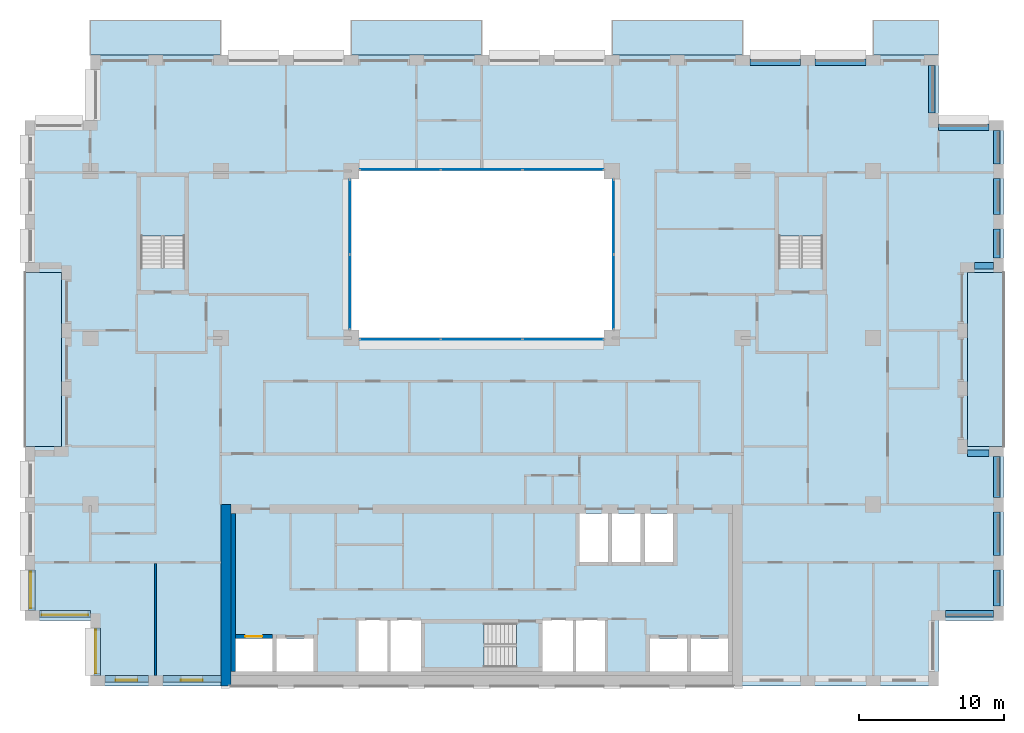
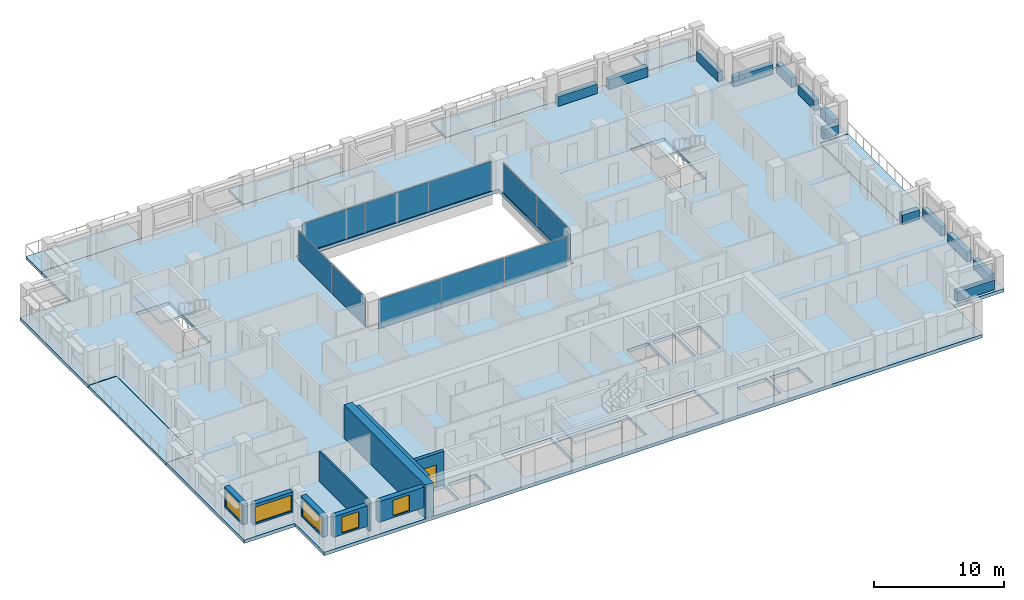
# One storey, part 7 of 16: 13 beams, 10 plates, 10 slabs, 9 walls, 5 windows, 1 door, 6 openings, 7 elements without a shape of their own.
"""IFC4 building model written with IfcOpenShell, lengths in metres."""

from ifc_helpers import new_model, si_unit, direction, frame, frame_2d, origin, origin_2d, place, context, subcontext, project, spatial, polyline, rectangle, outline, extrude, material, layer, layer_set, material_profile, profile_set, type_object, element, fill, aggregate, save


model = new_model("IFC4")

# Units and contexts
model_context = context("Model", 3, precision=1e-05, world=origin(), true_north=direction((0.0, 1.0)))
body_context = subcontext(model_context, "Body", "Model", "MODEL_VIEW")
ifc_project = project(units=[si_unit("LENGTHUNIT", "METRE"), si_unit("AREAUNIT", "SQUARE_METRE"), si_unit("VOLUMEUNIT", "CUBIC_METRE"), si_unit("PLANEANGLEUNIT", "RADIAN"), si_unit("MASSUNIT", "GRAM", prefix="KILO")], contexts=[model_context])

# Site, building, storey
site_placement = place(None, origin())
site = spatial("IfcSite", under=ifc_project, at=site_placement, CompositionType="ELEMENT")
building_placement = place(site_placement, origin())
building = spatial("IfcBuilding", under=site, at=building_placement, Name="Brigalow Station Residences", CompositionType="ELEMENT")
storey_placement = place(building_placement, frame((0.0, 0.0, 166.5)))
storey = spatial("IfcBuildingStorey", under=building, at=storey_placement, Name="L48", CompositionType="ELEMENT", Elevation=166.5)

# Beams
ifc_material_1 = material(Name="Concrete C50", Category="concrete")
ifc_material_profile = material_profile(ifc_material_1, rectangle(XDim=0.449951171875, YDim=0.89990234375, at=origin_2d()), Name="RC450x900")
ifc_profile_set = profile_set([ifc_material_profile], Name="Concrete C50")
beam_type = type_object("IfcBeamType", Name="SPANDREL BEAM 450x900 C50", PredefinedType="SPANDREL", material=ifc_profile_set)
beam_1_placement = place(storey_placement, frame((68.0, 4.97509765625, 0.449951171875), z_axis=(1.0, 0.0, 0.0), x_axis=(0.0, 1.0, 0.0)))
element("IfcBeam", 1, at=beam_1_placement, inside=storey, type_object=beam_type, Name="L48/spandrel/W-L48-8", PredefinedType="SPANDREL", context=body_context, shape_type="SweptSolid", body=[
    extrude(rectangle(XDim=0.449951171875, YDim=0.89990234375, at=origin_2d()), origin(), (0.0, 0.0, 1.0), 3.300048828125),
])
beam_2_placement = place(storey_placement, frame((71.52490234375, 5.5, 0.449951171875), z_axis=(0.0, 1.0, 0.0), x_axis=(-1.0, 0.0, 0.0)))
element("IfcBeam", 2, at=beam_2_placement, inside=storey, type_object=beam_type, Name="L48/spandrel/W-L48-9", PredefinedType="SPANDREL", context=body_context, shape_type="SweptSolid", body=[
    extrude(rectangle(XDim=0.449951171875, YDim=0.89990234375, at=origin_2d()), origin(), (0.0, 0.0, 1.0), 2.5),
])
beam_3_placement = place(storey_placement, frame((71.52490234375, 9.0, 0.449951171875), z_axis=(0.0, 1.0, 0.0), x_axis=(-1.0, 0.0, 0.0)))
element("IfcBeam", 3, at=beam_3_placement, inside=storey, type_object=beam_type, Name="L48/spandrel/W-L48-10", PredefinedType="SPANDREL", context=body_context, shape_type="SweptSolid", body=[
    extrude(rectangle(XDim=0.449951171875, YDim=0.89990234375, at=origin_2d()), origin(), (0.0, 0.0, 1.0), 3.0),
])
beam_4_placement = place(storey_placement, frame((71.52490234375, 13.0, 0.449951171875), z_axis=(0.0, 1.0, 0.0), x_axis=(-1.0, 0.0, 0.0)))
element("IfcBeam", 4, at=beam_4_placement, inside=storey, type_object=beam_type, Name="L48/spandrel/W-L48-11", PredefinedType="SPANDREL", context=body_context, shape_type="SweptSolid", body=[
    extrude(rectangle(XDim=0.449951171875, YDim=0.89990234375, at=origin_2d()), origin(), (0.0, 0.0, 1.0), 2.800048828125),
])
beam_5_placement = place(storey_placement, frame((71.0, 16.02490234375, 0.449951171875), z_axis=(-1.0, 0.0, 0.0), x_axis=(0.0, -1.0, 0.0)))
element("IfcBeam", 5, at=beam_5_placement, inside=storey, type_object=beam_type, Name="L48/spandrel/W-L48-12", PredefinedType="SPANDREL", context=body_context, shape_type="SweptSolid", body=[
    extrude(rectangle(XDim=0.449951171875, YDim=0.89990234375, at=origin_2d()), origin(), (0.0, 0.0, 1.0), 1.5),
])
beam_6_placement = place(storey_placement, frame((70.0, 28.97509765625, 0.449951171875), z_axis=(1.0, 0.0, 0.0), x_axis=(0.0, 1.0, 0.0)))
element("IfcBeam", 6, at=beam_6_placement, inside=storey, type_object=beam_type, Name="L48/spandrel/W-L48-16", PredefinedType="SPANDREL", context=body_context, shape_type="SweptSolid", body=[
    extrude(rectangle(XDim=0.449951171875, YDim=0.89990234375, at=origin_2d()), origin(), (0.0, 0.0, 1.0), 1.300048828125),
])
beam_7_placement = place(storey_placement, frame((71.52490234375, 29.5, 0.449951171875), z_axis=(0.0, 1.0, 0.0), x_axis=(-1.0, 0.0, 0.0)))
element("IfcBeam", 7, at=beam_7_placement, inside=storey, type_object=beam_type, Name="L48/spandrel/W-L48-17", PredefinedType="SPANDREL", context=body_context, shape_type="SweptSolid", body=[
    extrude(rectangle(XDim=0.449951171875, YDim=0.89990234375, at=origin_2d()), origin(), (0.0, 0.0, 1.0), 2.0),
])
beam_8_placement = place(storey_placement, frame((71.52490234375, 32.5, 0.449951171875), z_axis=(0.0, 1.0, 0.0), x_axis=(-1.0, 0.0, 0.0)))
element("IfcBeam", 8, at=beam_8_placement, inside=storey, type_object=beam_type, Name="L48/spandrel/W-L48-18", PredefinedType="SPANDREL", context=body_context, shape_type="SweptSolid", body=[
    extrude(rectangle(XDim=0.449951171875, YDim=0.89990234375, at=origin_2d()), origin(), (0.0, 0.0, 1.0), 2.5),
])
beam_9_placement = place(storey_placement, frame((71.52490234375, 36.0, 0.449951171875), z_axis=(0.0, 1.0, 0.0), x_axis=(-1.0, 0.0, 0.0)))
element("IfcBeam", 9, at=beam_9_placement, inside=storey, type_object=beam_type, Name="L48/spandrel/W-L48-19", PredefinedType="SPANDREL", context=body_context, shape_type="SweptSolid", body=[
    extrude(rectangle(XDim=0.449951171875, YDim=0.89990234375, at=origin_2d()), origin(), (0.0, 0.0, 1.0), 2.300048828125),
])
beam_10_placement = place(storey_placement, frame((71.0, 38.52490234375, 0.449951171875), z_axis=(-1.0, 0.0, 0.0), x_axis=(0.0, -1.0, 0.0)))
element("IfcBeam", 10, at=beam_10_placement, inside=storey, type_object=beam_type, Name="L48/spandrel/W-L48-20", PredefinedType="SPANDREL", context=body_context, shape_type="SweptSolid", body=[
    extrude(rectangle(XDim=0.449951171875, YDim=0.89990234375, at=origin_2d()), origin(), (0.0, 0.0, 1.0), 3.5),
])
beam_11_placement = place(storey_placement, frame((67.02490234375, 39.5, 0.449951171875), z_axis=(0.0, 1.0, 0.0), x_axis=(-1.0, 0.0, 0.0)))
element("IfcBeam", 11, at=beam_11_placement, inside=storey, type_object=beam_type, Name="L48/spandrel/W-L48-21", PredefinedType="SPANDREL", context=body_context, shape_type="SweptSolid", body=[
    extrude(rectangle(XDim=0.449951171875, YDim=0.89990234375, at=origin_2d()), origin(), (0.0, 0.0, 1.0), 3.300048828125),
])
for number, where, z_axis, x_axis, name in (
    (12, (62.5, 43.02490234375, 0.449951171875), (-1.0, 0.0, 0.0), (0.0, -1.0, 0.0), "L48/spandrel/W-L48-23"),
    (13, (58.0, 43.02490234375, 0.449951171875), (-1.0, 0.0, 0.0), (0.0, -1.0, 0.0), "L48/spandrel/W-L48-24"),
):
    element("IfcBeam", number, at=place(storey_placement, frame(where, z_axis=z_axis, x_axis=x_axis)), inside=storey, type_object=beam_type, Name=name, PredefinedType="SPANDREL", context=body_context, shape_type="SweptSolid", body=[
        extrude(rectangle(XDim=0.449951171875, YDim=0.89990234375, at=origin_2d()), origin(), (0.0, 0.0, 1.0), 3.5),
    ])

# Curtain wall, plates
ifc_material_2 = material(Name="Aluminium", Category="aluminium")
ifc_layer_1 = layer(ifc_material_2, 0.14990234375)
ifc_layer_set_1 = layer_set([ifc_layer_1], Name="ATRIUM FIRE-RATED GLAZING CURTAIN WALL")
curtain_wall_type = type_object("IfcCurtainWallType", Name="ATRIUM FIRE-RATED GLAZING CURTAIN WALL", PredefinedType="NOTDEFINED", material=ifc_layer_set_1)
curtain_wall_1_placement = place(storey_placement, origin())
curtain_wall_1 = element("IfcCurtainWall", 14, at=curtain_wall_1_placement, inside=storey, type_object=curtain_wall_type, Name="L48/cw/atrium-S", PredefinedType="NOTDEFINED")
ifc_material_3 = material(Name="Fire-resisting laminated glazing, FRL -/60/-", Category="glass")
ifc_layer_2 = layer(ifc_material_3, 0.031982421875)
ifc_layer_set_2 = layer_set([ifc_layer_2], Name="ATRIUM FIRE-RATED GLAZING PANEL 32")
plate_type = type_object("IfcPlateType", Name="ATRIUM FIRE-RATED GLAZING PANEL 32", PredefinedType="CURTAIN_PANEL", material=ifc_layer_set_2)
plate_1_placement = place(storey_placement, frame((30.381591796875, 23.89990234375, 0.0), z_axis=(0.0, 0.0, 1.0), x_axis=(1.0, 0.0, 0.0)))
plate_1 = element("IfcPlate", 15, at=plate_1_placement, type_object=plate_type, Name="L48/cw/atrium-S/P00-00", PredefinedType="CURTAIN_PANEL", context=body_context, shape_type="SweptSolid", body=[
    extrude(rectangle(XDim=5.543212890625, YDim=0.031982421875, at=origin_2d()), origin(), (0.0, 0.0, 1.0), 2.77001953125),
])
plate_2_placement = place(storey_placement, frame((36.0, 23.89990234375, 0.0), z_axis=(0.0, 0.0, 1.0), x_axis=(1.0, 0.0, 0.0)))
plate_2 = element("IfcPlate", 16, at=plate_2_placement, type_object=plate_type, Name="L48/cw/atrium-S/P01-00", PredefinedType="CURTAIN_PANEL", context=body_context, shape_type="SweptSolid", body=[
    extrude(rectangle(XDim=5.5732421875, YDim=0.031982421875, at=origin_2d()), origin(), (0.0, 0.0, 1.0), 2.77001953125),
])
plate_3_placement = place(storey_placement, frame((41.618408203125, 23.89990234375, 0.0), z_axis=(0.0, 0.0, 1.0), x_axis=(1.0, 0.0, 0.0)))
plate_3 = element("IfcPlate", 17, at=plate_3_placement, type_object=plate_type, Name="L48/cw/atrium-S/P02-00", PredefinedType="CURTAIN_PANEL", context=body_context, shape_type="SweptSolid", body=[
    extrude(rectangle(XDim=5.543212890625, YDim=0.031982421875, at=origin_2d()), origin(), (0.0, 0.0, 1.0), 2.77001953125),
])
aggregate(curtain_wall_1, [plate_1, plate_2, plate_3])

curtain_wall_2_placement = place(storey_placement, origin())
curtain_wall_2 = element("IfcCurtainWall", 18, at=curtain_wall_2_placement, inside=storey, type_object=curtain_wall_type, Name="L48/cw/atrium-E", PredefinedType="NOTDEFINED")
plate_4_placement = place(storey_placement, frame((45.10009765625, 27.1650390625, 0.0), z_axis=(0.0, 0.0, 1.0), x_axis=(0.0, 1.0, 0.0)))
plate_4 = element("IfcPlate", 19, at=plate_4_placement, type_object=plate_type, Name="L48/cw/atrium-E/P00-00", PredefinedType="CURTAIN_PANEL", context=body_context, shape_type="SweptSolid", body=[
    extrude(rectangle(XDim=5.110107421875, YDim=0.031982421875, at=origin_2d()), origin(), (0.0, 0.0, 1.0), 2.77001953125),
])
plate_5_placement = place(storey_placement, frame((45.10009765625, 32.3349609375, 0.0), z_axis=(0.0, 0.0, 1.0), x_axis=(0.0, 1.0, 0.0)))
plate_5 = element("IfcPlate", 20, at=plate_5_placement, type_object=plate_type, Name="L48/cw/atrium-E/P01-00", PredefinedType="CURTAIN_PANEL", context=body_context, shape_type="SweptSolid", body=[
    extrude(rectangle(XDim=5.110107421875, YDim=0.031982421875, at=origin_2d()), origin(), (0.0, 0.0, 1.0), 2.77001953125),
])
aggregate(curtain_wall_2, [plate_4, plate_5])

curtain_wall_3_placement = place(storey_placement, origin())
curtain_wall_3 = element("IfcCurtainWall", 21, at=curtain_wall_3_placement, inside=storey, type_object=curtain_wall_type, Name="L48/cw/atrium-N", PredefinedType="NOTDEFINED")
plate_6_placement = place(storey_placement, frame((41.618408203125, 35.60009765625, 0.0), z_axis=(0.0, 0.0, 1.0), x_axis=(-1.0, 0.0, 0.0)))
plate_6 = element("IfcPlate", 22, at=plate_6_placement, type_object=plate_type, Name="L48/cw/atrium-N/P00-00", PredefinedType="CURTAIN_PANEL", context=body_context, shape_type="SweptSolid", body=[
    extrude(rectangle(XDim=5.543212890625, YDim=0.031982421875, at=origin_2d()), origin(), (0.0, 0.0, 1.0), 2.77001953125),
])
plate_7_placement = place(storey_placement, frame((36.0, 35.60009765625, 0.0), z_axis=(0.0, 0.0, 1.0), x_axis=(-1.0, 0.0, 0.0)))
plate_7 = element("IfcPlate", 23, at=plate_7_placement, type_object=plate_type, Name="L48/cw/atrium-N/P01-00", PredefinedType="CURTAIN_PANEL", context=body_context, shape_type="SweptSolid", body=[
    extrude(rectangle(XDim=5.5732421875, YDim=0.031982421875, at=origin_2d()), origin(), (0.0, 0.0, 1.0), 2.77001953125),
])
plate_8_placement = place(storey_placement, frame((30.381591796875, 35.60009765625, 0.0), z_axis=(0.0, 0.0, 1.0), x_axis=(-1.0, 0.0, 0.0)))
plate_8 = element("IfcPlate", 24, at=plate_8_placement, type_object=plate_type, Name="L48/cw/atrium-N/P02-00", PredefinedType="CURTAIN_PANEL", context=body_context, shape_type="SweptSolid", body=[
    extrude(rectangle(XDim=5.543212890625, YDim=0.031982421875, at=origin_2d()), origin(), (0.0, 0.0, 1.0), 2.77001953125),
])
aggregate(curtain_wall_3, [plate_6, plate_7, plate_8])

curtain_wall_4_placement = place(storey_placement, origin())
curtain_wall_4 = element("IfcCurtainWall", 25, at=curtain_wall_4_placement, inside=storey, type_object=curtain_wall_type, Name="L48/cw/atrium-W", PredefinedType="NOTDEFINED")
plate_9_placement = place(storey_placement, frame((26.89990234375, 32.3349609375, 0.0), z_axis=(0.0, 0.0, 1.0), x_axis=(0.0, -1.0, 0.0)))
plate_9 = element("IfcPlate", 26, at=plate_9_placement, type_object=plate_type, Name="L48/cw/atrium-W/P00-00", PredefinedType="CURTAIN_PANEL", context=body_context, shape_type="SweptSolid", body=[
    extrude(rectangle(XDim=5.110107421875, YDim=0.031982421875, at=origin_2d()), origin(), (0.0, 0.0, 1.0), 2.77001953125),
])
plate_10_placement = place(storey_placement, frame((26.89990234375, 27.1650390625, 0.0), z_axis=(0.0, 0.0, 1.0), x_axis=(0.0, -1.0, 0.0)))
plate_10 = element("IfcPlate", 27, at=plate_10_placement, type_object=plate_type, Name="L48/cw/atrium-W/P01-00", PredefinedType="CURTAIN_PANEL", context=body_context, shape_type="SweptSolid", body=[
    extrude(rectangle(XDim=5.110107421875, YDim=0.031982421875, at=origin_2d()), origin(), (0.0, 0.0, 1.0), 2.77001953125),
])
aggregate(curtain_wall_4, [plate_9, plate_10])

# Slabs
ifc_material_4 = material(Name="Concrete C50 precast", Category="concrete")
ifc_layer_3 = layer(ifc_material_4, 0.25)
ifc_layer_set_3 = layer_set([ifc_layer_3], Name="BALCONY SLAB 250")
slab_type_1 = type_object("IfcSlabType", Name="BALCONY SLAB 250", PredefinedType="USERDEFINED", material=ifc_layer_set_3)
slab_1_placement = place(storey_placement, frame((0.0, 0.0, -0.2900390625)))
element("IfcSlab", 28, at=slab_1_placement, inside=storey, type_object=slab_type_1, Name="L48/balcony/1", ObjectType="BALCONY", PredefinedType="USERDEFINED", context=body_context, shape_type="SweptSolid", body=[
    extrude(outline(polyline([(69.5, 16.5), (72.0, 16.5), (72.0, 28.5), (69.5, 28.5), (69.5, 16.5)])), origin(), (0.0, 0.0, 1.0), 0.25),
])
slab_2_placement = place(storey_placement, frame((0.0, 0.0, -0.2900390625)))
element("IfcSlab", 29, at=slab_2_placement, inside=storey, type_object=slab_type_1, Name="L48/balcony/2", ObjectType="BALCONY", PredefinedType="USERDEFINED", context=body_context, shape_type="SweptSolid", body=[
    extrude(outline(polyline([(67.5, 43.5), (67.5, 45.89990234375), (63.0, 45.89990234375), (63.0, 43.5), (67.5, 43.5)])), origin(), (0.0, 0.0, 1.0), 0.25),
])
slab_3_placement = place(storey_placement, frame((0.0, 0.0, -0.2900390625)))
element("IfcSlab", 30, at=slab_3_placement, inside=storey, type_object=slab_type_1, Name="L48/balcony/3", ObjectType="BALCONY", PredefinedType="USERDEFINED", context=body_context, shape_type="SweptSolid", body=[
    extrude(outline(polyline([(54.0, 43.5), (54.0, 45.89990234375), (45.0, 45.89990234375), (45.0, 43.5), (54.0, 43.5)])), origin(), (0.0, 0.0, 1.0), 0.25),
])
slab_4_placement = place(storey_placement, frame((0.0, 0.0, -0.2900390625)))
element("IfcSlab", 31, at=slab_4_placement, inside=storey, type_object=slab_type_1, Name="L48/balcony/4", ObjectType="BALCONY", PredefinedType="USERDEFINED", context=body_context, shape_type="SweptSolid", body=[
    extrude(outline(polyline([(36.0, 43.5), (36.0, 45.89990234375), (27.0, 45.89990234375), (27.0, 43.5), (36.0, 43.5)])), origin(), (0.0, 0.0, 1.0), 0.25),
])
slab_5_placement = place(storey_placement, frame((0.0, 0.0, -0.2900390625)))
element("IfcSlab", 32, at=slab_5_placement, inside=storey, type_object=slab_type_1, Name="L48/balcony/5", ObjectType="BALCONY", PredefinedType="USERDEFINED", context=body_context, shape_type="SweptSolid", body=[
    extrude(outline(polyline([(18.0, 43.5), (18.0, 45.89990234375), (9.0, 45.89990234375), (9.0, 43.5), (18.0, 43.5)])), origin(), (0.0, 0.0, 1.0), 0.25),
])
slab_6_placement = place(storey_placement, frame((0.0, 0.0, -0.2900390625)))
element("IfcSlab", 33, at=slab_6_placement, inside=storey, type_object=slab_type_1, Name="L48/balcony/6", ObjectType="BALCONY", PredefinedType="USERDEFINED", context=body_context, shape_type="SweptSolid", body=[
    extrude(outline(polyline([(7.0, 28.5), (4.5, 28.5), (4.5, 16.5), (7.0, 16.5), (7.0, 28.5)])), origin(), (0.0, 0.0, 1.0), 0.25),
])
ifc_material_5 = material(Name="Concrete C50", Category="concrete")
ifc_layer_4 = layer(ifc_material_5, 0.320068359375)
ifc_layer_set_4 = layer_set([ifc_layer_4], Name="POST-TENSIONED FLAT PLATE 320 C50")
slab_type_2 = type_object("IfcSlabType", Name="POST-TENSIONED FLAT PLATE 320 C50", PredefinedType="FLOOR", material=ifc_layer_set_4)
slab_7_placement = place(storey_placement, frame((0.0, 0.0, -0.320068359375)))
element("IfcSlab", 34, at=slab_7_placement, inside=storey, type_object=slab_type_2, Name="FLOOR SLAB L48", PredefinedType="FLOOR", context=body_context, shape_type="SweptSolid", body=[
    extrude(outline(polyline([(9.0, 0.0), (67.5, 0.0), (67.5, 4.5), (72.0, 4.5), (72.0, 16.5), (69.5, 16.5), (69.5, 28.5), (72.0, 28.5), (72.0, 39.0), (67.5, 39.0), (67.5, 43.5), (9.0, 43.5), (9.0, 39.0), (4.5, 39.0), (4.5, 28.5), (7.0, 28.5), (7.0, 16.5), (4.5, 16.5), (4.5, 4.5), (9.0, 4.5), (9.0, 0.0)]), holes=[polyline([(12.5048828125, 35.094970703125), (15.4951171875, 35.094970703125), (15.4951171875, 28.804931640625), (12.5048828125, 28.804931640625), (12.5048828125, 35.094970703125)]), polyline([(19.0, 1.0), (19.0, 3.25), (21.550048828125, 3.25), (21.550048828125, 1.0), (19.0, 1.0)]), polyline([(21.85009765625, 3.25), (24.39990234375, 3.25), (24.39990234375, 1.0), (21.85009765625, 1.0), (21.85009765625, 3.25)]), polyline([(27.0, 35.5), (45.0, 35.5), (45.0, 24.0), (27.0, 24.0), (27.0, 35.5)]), polyline([(29.60009765625, 4.60009765625), (31.800048828125, 4.60009765625), (31.800048828125, 1.0), (29.60009765625, 1.0), (27.39990234375, 1.0), (27.39990234375, 4.60009765625), (29.60009765625, 4.60009765625)]), polyline([(32.10498046875, 4.294921875), (38.39501953125, 4.294921875), (38.39501953125, 1.304931640625), (32.10498046875, 1.304931640625), (32.10498046875, 4.294921875)]), polyline([(40.199951171875, 4.60009765625), (42.39990234375, 4.60009765625), (44.60009765625, 4.60009765625), (44.60009765625, 1.0), (42.39990234375, 1.0), (40.199951171875, 1.0), (40.199951171875, 4.60009765625)]), polyline([(42.75, 11.89990234375), (44.699951171875, 11.89990234375), (44.699951171875, 8.550048828125), (42.75, 8.550048828125), (42.75, 11.89990234375)]), polyline([(45.0, 11.89990234375), (46.949951171875, 11.89990234375), (46.949951171875, 8.550048828125), (45.0, 8.550048828125), (45.0, 11.89990234375)]), polyline([(47.25, 11.89990234375), (49.199951171875, 11.89990234375), (49.199951171875, 8.550048828125), (47.25, 8.550048828125), (47.25, 11.89990234375)]), polyline([(47.60009765625, 3.25), (50.14990234375, 3.25), (50.14990234375, 1.0), (47.60009765625, 1.0), (47.60009765625, 3.25)]), polyline([(50.449951171875, 3.25), (53.0, 3.25), (53.0, 1.0), (50.449951171875, 1.0), (50.449951171875, 3.25)]), polyline([(56.5048828125, 35.094970703125), (59.4951171875, 35.094970703125), (59.4951171875, 28.804931640625), (56.5048828125, 28.804931640625), (56.5048828125, 35.094970703125)])]), origin(), (0.0, 0.0, 1.0), 0.320068359375),
])

# Stair, slab
ifc_material_6 = material(Name="Concrete C50", Category="concrete")
stair_type = type_object("IfcStairType", Name="EXIT STAIR 1400 2 FLIGHT", PredefinedType="HALF_TURN_STAIR", material=ifc_material_6)
stair_1_placement = place(storey_placement, origin())
stair_1 = element("IfcStair", 35, at=stair_1_placement, inside=storey, type_object=stair_type, Name="EXIT STAIR S2 L48", PredefinedType="HALF_TURN_STAIR")
ifc_material_7 = material(Name="Concrete C50", Category="concrete")
ifc_layer_5 = layer(ifc_material_7, 0.199951171875)
ifc_layer_set_5 = layer_set([ifc_layer_5], Name="STAIR LANDING 200")
slab_type_3 = type_object("IfcSlabType", Name="STAIR LANDING 200", PredefinedType="LANDING", material=ifc_layer_set_5)
slab_8_placement = place(storey_placement, frame((0.0, 0.0, 1.375)))
slab_8 = element("IfcSlab", 36, at=slab_8_placement, type_object=slab_type_3, Name="ST-2 landing 1", PredefinedType="LANDING", context=body_context, shape_type="SweptSolid", body=[
    extrude(outline(polyline([(32.0, 1.199951171875), (36.159912109375, 1.199951171875), (36.159912109375, 4.39990234375), (32.0, 4.39990234375), (32.0, 1.199951171875)])), origin(), (0.0, 0.0, 1.0), 0.199951171875),
])
aggregate(stair_1, [slab_8])

stair_2_placement = place(storey_placement, origin())
stair_2 = element("IfcStair", 37, at=stair_2_placement, inside=storey, type_object=stair_type, Name="EXIT STAIR S1 L48", PredefinedType="HALF_TURN_STAIR")
slab_9_placement = place(storey_placement, frame((0.0, 0.0, 1.375)))
slab_9 = element("IfcSlab", 38, at=slab_9_placement, type_object=slab_type_3, Name="ST-1 landing 1", PredefinedType="LANDING", context=body_context, shape_type="SweptSolid", body=[
    extrude(outline(polyline([(12.39990234375, 31.0400390625), (15.60009765625, 31.0400390625), (15.60009765625, 35.199951171875), (12.39990234375, 35.199951171875), (12.39990234375, 31.0400390625)])), origin(), (0.0, 0.0, 1.0), 0.199951171875),
])
aggregate(stair_2, [slab_9])

stair_3_placement = place(storey_placement, origin())
stair_3 = element("IfcStair", 39, at=stair_3_placement, inside=storey, type_object=stair_type, Name="EXIT STAIR S3 L48", PredefinedType="HALF_TURN_STAIR")
slab_10_placement = place(storey_placement, frame((0.0, 0.0, 1.375)))
slab_10 = element("IfcSlab", 40, at=slab_10_placement, type_object=slab_type_3, Name="ST-3 landing 1", PredefinedType="LANDING", context=body_context, shape_type="SweptSolid", body=[
    extrude(outline(polyline([(56.39990234375, 31.0400390625), (59.60009765625, 31.0400390625), (59.60009765625, 35.199951171875), (56.39990234375, 35.199951171875), (56.39990234375, 31.0400390625)])), origin(), (0.0, 0.0, 1.0), 0.199951171875),
])
aggregate(stair_3, [slab_10])

# Wall, opening, window
ifc_material_8 = material(Name="Clay brick masonry", Category="masonry")
ifc_layer_6 = layer(ifc_material_8, 0.449951171875)
ifc_layer_set_6 = layer_set([ifc_layer_6], Name="BRICK INFILL WALL 450")
wall_type_1 = type_object("IfcWallType", Name="BRICK INFILL WALL 450", PredefinedType="SOLIDWALL", material=ifc_layer_set_6)
wall_1_placement = place(storey_placement, frame((10.0, 0.47509765625, 0.89990234375), z_axis=(0.0, 0.0, 1.0), x_axis=(1.0, 0.0, 0.0)))
wall_1 = element("IfcWall", 41, at=wall_1_placement, inside=storey, type_object=wall_type_1, Name="L48/ewall/W-L48-1", PredefinedType="SOLIDWALL", context=body_context, shape_type="SweptSolid", body=[
    extrude(rectangle(XDim=3.0, YDim=0.449951171875, at=frame_2d((1.5, 0.0))), origin(), (0.0, 0.0, 1.0), 1.93017578125),
])
opening_1_placement = place(wall_1_placement, frame((0.75, 0.0, 0.14990234375)))
opening_1 = element("IfcOpeningElement", 42, at=opening_1_placement, cuts=wall_1, Name="Opening WT-1", PredefinedType="OPENING", context=body_context, shape_type="SweptSolid", body=[
    extrude(rectangle(XDim=1.5, YDim=1.5, at=frame_2d((0.75, 0.75))), frame((0.0, 0.23486328125, 0.0), z_axis=(0.0, -1.0, 0.0), x_axis=(1.0, 0.0, 0.0)), (0.0, 0.0, 1.0), 0.469970703125),
])
ifc_material_9 = material(Name="Anodised aluminium frame with double glazing", Category="aluminium")
window_type_1 = type_object("IfcWindowType", Name="WINDOW 1500x1500", PartitioningType="SINGLE_PANEL", PredefinedType="WINDOW", material=ifc_material_9)
window_1_placement = place(opening_1_placement, origin())
window_1 = element("IfcWindow", 43, at=window_1_placement, inside=storey, type_object=window_type_1, Name="L48/window/W-L48-1", OverallHeight=1.5, OverallWidth=1.5, PartitioningType="SINGLE_PANEL", PredefinedType="WINDOW", context=body_context, shape_type="SweptSolid", body=[
    extrude(rectangle(XDim=1.5, YDim=1.5, at=frame_2d((0.75, 0.75))), frame((0.0, -0.06494140625, 0.0), z_axis=(0.0, -1.0, 0.0), x_axis=(1.0, 0.0, 0.0)), (0.0, 0.0, 1.0), 0.06005859375),
])
fill(opening_1, window_1)

wall_2_placement = place(storey_placement, frame((14.0, 0.47509765625, 0.89990234375), z_axis=(0.0, 0.0, 1.0), x_axis=(1.0, 0.0, 0.0)))
wall_2 = element("IfcWall", 44, at=wall_2_placement, inside=storey, type_object=wall_type_1, Name="L48/ewall/W-L48-2", PredefinedType="SOLIDWALL", context=body_context, shape_type="SweptSolid", body=[
    extrude(rectangle(XDim=4.0, YDim=0.449951171875, at=frame_2d((2.0, 0.0))), origin(), (0.0, 0.0, 1.0), 1.93017578125),
])
opening_2_placement = place(wall_2_placement, frame((1.25, 0.0, 0.14990234375)))
opening_2 = element("IfcOpeningElement", 45, at=opening_2_placement, cuts=wall_2, Name="Opening WT-1", PredefinedType="OPENING", context=body_context, shape_type="SweptSolid", body=[
    extrude(rectangle(XDim=1.5, YDim=1.5, at=frame_2d((0.75, 0.75))), frame((0.0, 0.23486328125, 0.0), z_axis=(0.0, -1.0, 0.0), x_axis=(1.0, 0.0, 0.0)), (0.0, 0.0, 1.0), 0.469970703125),
])
window_2_placement = place(opening_2_placement, origin())
window_2 = element("IfcWindow", 46, at=window_2_placement, inside=storey, type_object=window_type_1, Name="L48/window/W-L48-2", OverallHeight=1.5, OverallWidth=1.5, PartitioningType="SINGLE_PANEL", PredefinedType="WINDOW", context=body_context, shape_type="SweptSolid", body=[
    extrude(rectangle(XDim=1.5, YDim=1.5, at=frame_2d((0.75, 0.75))), frame((0.0, -0.06494140625, 0.0), z_axis=(0.0, -1.0, 0.0), x_axis=(1.0, 0.0, 0.0)), (0.0, 0.0, 1.0), 0.06005859375),
])
fill(opening_2, window_2)

wall_3_placement = place(storey_placement, frame((4.97509765625, 8.0, 0.89990234375), z_axis=(0.0, 0.0, 1.0), x_axis=(0.0, -1.0, 0.0)))
wall_3 = element("IfcWall", 47, at=wall_3_placement, inside=storey, type_object=wall_type_1, Name="L48/ewall/W-L48-47", PredefinedType="SOLIDWALL", context=body_context, shape_type="SweptSolid", body=[
    extrude(rectangle(XDim=2.800048828125, YDim=0.449951171875, at=frame_2d((1.39990234375, 0.0))), origin(), (0.0, 0.0, 1.0), 1.93017578125),
])
opening_3_placement = place(wall_3_placement, frame((0.14990234375, 0.0, 0.14990234375)))
opening_3 = element("IfcOpeningElement", 48, at=opening_3_placement, cuts=wall_3, Name="Opening WT-5", PredefinedType="OPENING", context=body_context, shape_type="SweptSolid", body=[
    extrude(rectangle(XDim=2.5, YDim=1.5, at=frame_2d((1.25, 0.75))), frame((0.0, 0.23486328125, 0.0), z_axis=(0.0, -1.0, 0.0), x_axis=(1.0, 0.0, 0.0)), (0.0, 0.0, 1.0), 0.469970703125),
])
ifc_material_10 = material(Name="Anodised aluminium frame with double glazing", Category="aluminium")
window_type_2 = type_object("IfcWindowType", Name="WINDOW 2500x1500", PartitioningType="SINGLE_PANEL", PredefinedType="WINDOW", material=ifc_material_10)
window_3_placement = place(opening_3_placement, origin())
window_3 = element("IfcWindow", 49, at=window_3_placement, inside=storey, type_object=window_type_2, Name="L48/window/W-L48-47", OverallHeight=1.5, OverallWidth=2.5, PartitioningType="SINGLE_PANEL", PredefinedType="WINDOW", context=body_context, shape_type="SweptSolid", body=[
    extrude(rectangle(XDim=2.5, YDim=1.5, at=frame_2d((1.25, 0.75))), frame((0.0, -0.06494140625, 0.0), z_axis=(0.0, -1.0, 0.0), x_axis=(1.0, 0.0, 0.0)), (0.0, 0.0, 1.0), 0.06005859375),
])
fill(opening_3, window_3)

wall_4_placement = place(storey_placement, frame((5.5, 4.97509765625, 0.89990234375), z_axis=(0.0, 0.0, 1.0), x_axis=(1.0, 0.0, 0.0)))
wall_4 = element("IfcWall", 50, at=wall_4_placement, inside=storey, type_object=wall_type_1, Name="L48/ewall/W-L48-48", PredefinedType="SOLIDWALL", context=body_context, shape_type="SweptSolid", body=[
    extrude(rectangle(XDim=3.5, YDim=0.449951171875, at=frame_2d((1.75, 0.0))), origin(), (0.0, 0.0, 1.0), 1.93017578125),
])
opening_4_placement = place(wall_4_placement, frame((0.14990234375, 0.0, 0.14990234375)))
opening_4 = element("IfcOpeningElement", 51, at=opening_4_placement, cuts=wall_4, Name="Opening WT-9", PredefinedType="OPENING", context=body_context, shape_type="SweptSolid", body=[
    extrude(rectangle(XDim=3.199951171875, YDim=1.5, at=frame_2d((1.60009765625, 0.75))), frame((0.0, 0.23486328125, 0.0), z_axis=(0.0, -1.0, 0.0), x_axis=(1.0, 0.0, 0.0)), (0.0, 0.0, 1.0), 0.469970703125),
])
ifc_material_11 = material(Name="Anodised aluminium frame with double glazing", Category="aluminium")
window_type_3 = type_object("IfcWindowType", Name="WINDOW 3200x1500", PartitioningType="SINGLE_PANEL", PredefinedType="WINDOW", material=ifc_material_11)
window_4_placement = place(opening_4_placement, origin())
window_4 = element("IfcWindow", 52, at=window_4_placement, inside=storey, type_object=window_type_3, Name="L48/window/W-L48-48", OverallHeight=1.5, OverallWidth=3.199951171875, PartitioningType="SINGLE_PANEL", PredefinedType="WINDOW", context=body_context, shape_type="SweptSolid", body=[
    extrude(rectangle(XDim=3.199951171875, YDim=1.5, at=frame_2d((1.60009765625, 0.75))), frame((0.0, -0.06494140625, 0.0), z_axis=(0.0, -1.0, 0.0), x_axis=(1.0, 0.0, 0.0)), (0.0, 0.0, 1.0), 0.06005859375),
])
fill(opening_4, window_4)

wall_5_placement = place(storey_placement, frame((9.47509765625, 4.0, 0.89990234375), z_axis=(0.0, 0.0, 1.0), x_axis=(0.0, -1.0, 0.0)))
wall_5 = element("IfcWall", 53, at=wall_5_placement, inside=storey, type_object=wall_type_1, Name="L48/ewall/W-L48-49", PredefinedType="SOLIDWALL", context=body_context, shape_type="SweptSolid", body=[
    extrude(rectangle(XDim=3.300048828125, YDim=0.449951171875, at=frame_2d((1.64990234375, 0.0))), origin(), (0.0, 0.0, 1.0), 1.93017578125),
])
opening_5_placement = place(wall_5_placement, frame((0.14990234375, 0.0, 0.14990234375)))
opening_5 = element("IfcOpeningElement", 54, at=opening_5_placement, cuts=wall_5, Name="Opening WT-2", PredefinedType="OPENING", context=body_context, shape_type="SweptSolid", body=[
    extrude(rectangle(XDim=3.0, YDim=1.5, at=frame_2d((1.5, 0.75))), frame((0.0, 0.23486328125, 0.0), z_axis=(0.0, -1.0, 0.0), x_axis=(1.0, 0.0, 0.0)), (0.0, 0.0, 1.0), 0.469970703125),
])
ifc_material_12 = material(Name="Anodised aluminium frame with double glazing", Category="aluminium")
window_type_4 = type_object("IfcWindowType", Name="WINDOW 3000x1500", PartitioningType="SINGLE_PANEL", PredefinedType="WINDOW", material=ifc_material_12)
window_5_placement = place(opening_5_placement, origin())
window_5 = element("IfcWindow", 55, at=window_5_placement, inside=storey, type_object=window_type_4, Name="L48/window/W-L48-49", OverallHeight=1.5, OverallWidth=3.0, PartitioningType="SINGLE_PANEL", PredefinedType="WINDOW", context=body_context, shape_type="SweptSolid", body=[
    extrude(rectangle(XDim=3.0, YDim=1.5, at=frame_2d((1.5, 0.75))), frame((0.0, -0.06494140625, 0.0), z_axis=(0.0, -1.0, 0.0), x_axis=(1.0, 0.0, 0.0)), (0.0, 0.0, 1.0), 0.06005859375),
])
fill(opening_5, window_5)

# Wall
ifc_material_13 = material(Name="Concrete C65", Category="concrete")
ifc_layer_7 = layer(ifc_material_13, 0.300048828125)
ifc_layer_set_7 = layer_set([ifc_layer_7], Name="CORE SHEAR WALL 300 C65")
wall_type_2 = type_object("IfcWallType", Name="CORE SHEAR WALL 300 C65", PredefinedType="SHEAR", material=ifc_layer_set_7)
wall_6_placement = place(storey_placement, frame((18.85009765625, 1.0, 0.0), z_axis=(0.0, 0.0, 1.0), x_axis=(0.0, 1.0, 0.0)))
element("IfcWall", 56, at=wall_6_placement, inside=storey, type_object=wall_type_2, Name="CORE WALL LIN-W L48", PredefinedType="SHEAR", context=body_context, shape_type="SweptSolid", body=[
    extrude(rectangle(XDim=10.89990234375, YDim=0.300048828125, at=frame_2d((5.449951171875, 0.0))), origin(), (0.0, 0.0, 1.0), 3.14990234375),
])

# Wall, opening, door
wall_7_placement = place(storey_placement, frame((19.0, 3.39990234375, 0.0), z_axis=(0.0, 0.0, 1.0), x_axis=(1.0, 0.0, 0.0)))
wall_7 = element("IfcWall", 57, at=wall_7_placement, inside=storey, type_object=wall_type_2, Name="CORE WALL SH-C1-N L48", PredefinedType="SHEAR", context=body_context, shape_type="SweptSolid", body=[
    extrude(rectangle(XDim=2.550048828125, YDim=0.300048828125, at=frame_2d((1.27490234375, 0.0))), origin(), (0.0, 0.0, 1.0), 3.14990234375),
])
opening_6_placement = place(wall_7_placement, frame((0.675048828125, 0.0, 0.0)))
opening_6 = element("IfcOpeningElement", 58, at=opening_6_placement, cuts=wall_7, Name="Opening LD-LB1", PredefinedType="OPENING", context=body_context, shape_type="SweptSolid", body=[
    extrude(rectangle(XDim=1.199951171875, YDim=2.10009765625, at=frame_2d((0.60009765625, 1.050048828125))), frame((0.0, 0.16015625, 0.0), z_axis=(0.0, -1.0, 0.0), x_axis=(1.0, 0.0, 0.0)), (0.0, 0.0, 1.0), 0.320068359375),
])
ifc_material_14 = material(Name="Stainless steel sliding door leaves", Category="steel")
door_type = type_object("IfcDoorType", Name="LIFT LANDING DOOR 1200 x 2100", OperationType="DOUBLE_DOOR_SLIDING", PredefinedType="DOOR", material=ifc_material_14)
door_placement = place(opening_6_placement, origin())
door = element("IfcDoor", 59, at=door_placement, inside=storey, type_object=door_type, Name="LANDING DOOR LB1", OperationType="DOUBLE_DOOR_SLIDING", OverallHeight=2.10009765625, OverallWidth=1.199951171875, PredefinedType="DOOR", context=body_context, shape_type="SweptSolid", body=[
    extrude(rectangle(XDim=1.199951171875, YDim=2.10009765625, at=frame_2d((0.60009765625, 1.050048828125))), frame((0.0, 0.02490234375, 0.0), z_axis=(0.0, -1.0, 0.0), x_axis=(1.0, 0.0, 0.0)), (0.0, 0.0, 1.0), 0.050048828125),
])
fill(opening_6, door)

# Walls
ifc_material_15 = material(Name="Concrete C65", Category="concrete")
ifc_layer_8 = layer(ifc_material_15, 0.699951171875)
ifc_layer_set_8 = layer_set([ifc_layer_8], Name="CORE SHEAR WALL 700 C65")
wall_type_3 = type_object("IfcWallType", Name="CORE SHEAR WALL 700 C65", PredefinedType="SHEAR", material=ifc_layer_set_8)
wall_8_placement = place(storey_placement, frame((18.35009765625, 0.0, 0.0), z_axis=(0.0, 0.0, 1.0), x_axis=(0.0, 1.0, 0.0)))
element("IfcWall", 60, at=wall_8_placement, inside=storey, type_object=wall_type_3, Name="CORE WALL OUT-W L48", PredefinedType="SHEAR", context=body_context, shape_type="SweptSolid", body=[
    extrude(rectangle(XDim=12.5, YDim=0.699951171875, at=frame_2d((6.25, 0.0))), origin(), (0.0, 0.0, 1.0), 3.14990234375),
])
ifc_material_16 = material(Name="Plasterboard on steel stud partition", Category="steel")
ifc_layer_9 = layer(ifc_material_16, 0.14990234375)
ifc_layer_set_9 = layer_set([ifc_layer_9], Name="FLAT PARTITION 150")
wall_type_4 = type_object("IfcWallType", Name="FLAT PARTITION 150", PredefinedType="PARTITIONING", material=ifc_layer_set_9)
wall_9_placement = place(storey_placement, frame((13.5, 0.699951171875, 0.0), z_axis=(0.0, 0.0, 1.0), x_axis=(0.0, 1.0, 0.0)))
element("IfcWall", 61, at=wall_9_placement, inside=storey, type_object=wall_type_4, Name="PW-3D35", PredefinedType="PARTITIONING", context=body_context, shape_type="SweptSolid", body=[
    extrude(rectangle(XDim=7.72509765625, YDim=0.14990234375, at=frame_2d((3.862548828125, 0.0))), origin(), (0.0, 0.0, 1.0), 2.830078125),
])

save(model, "model.ifc")
